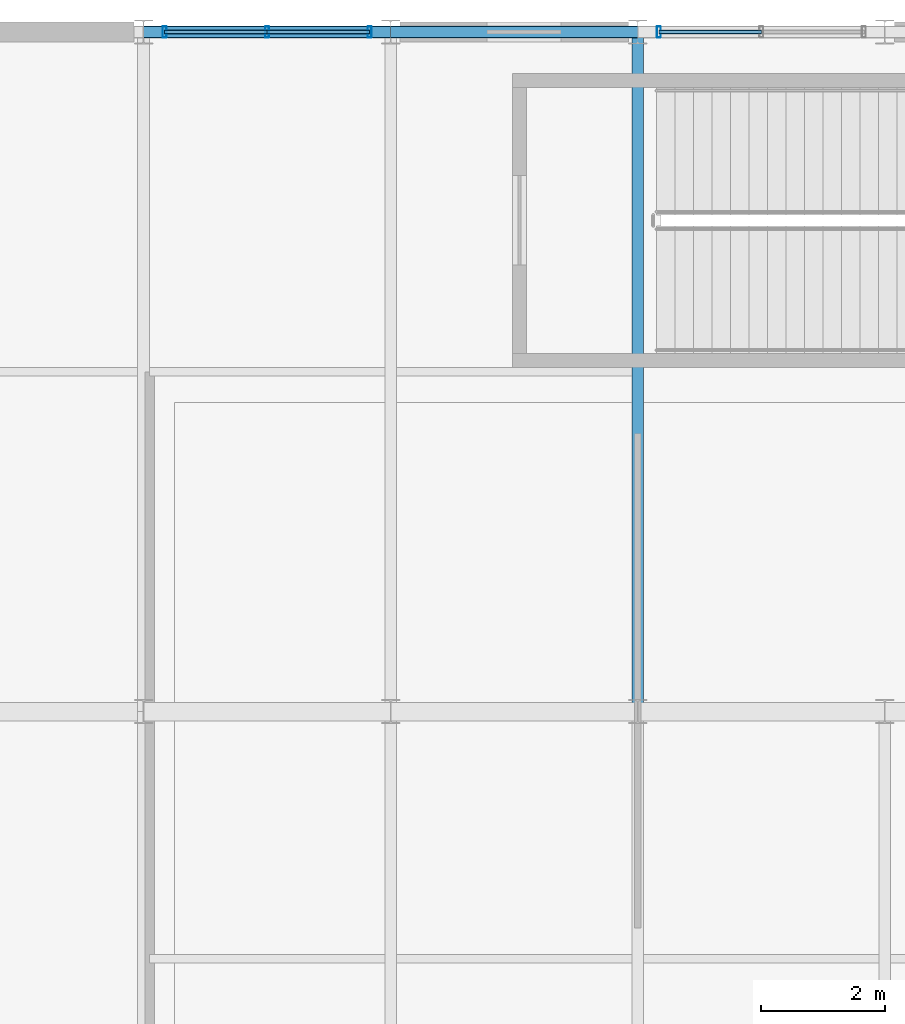
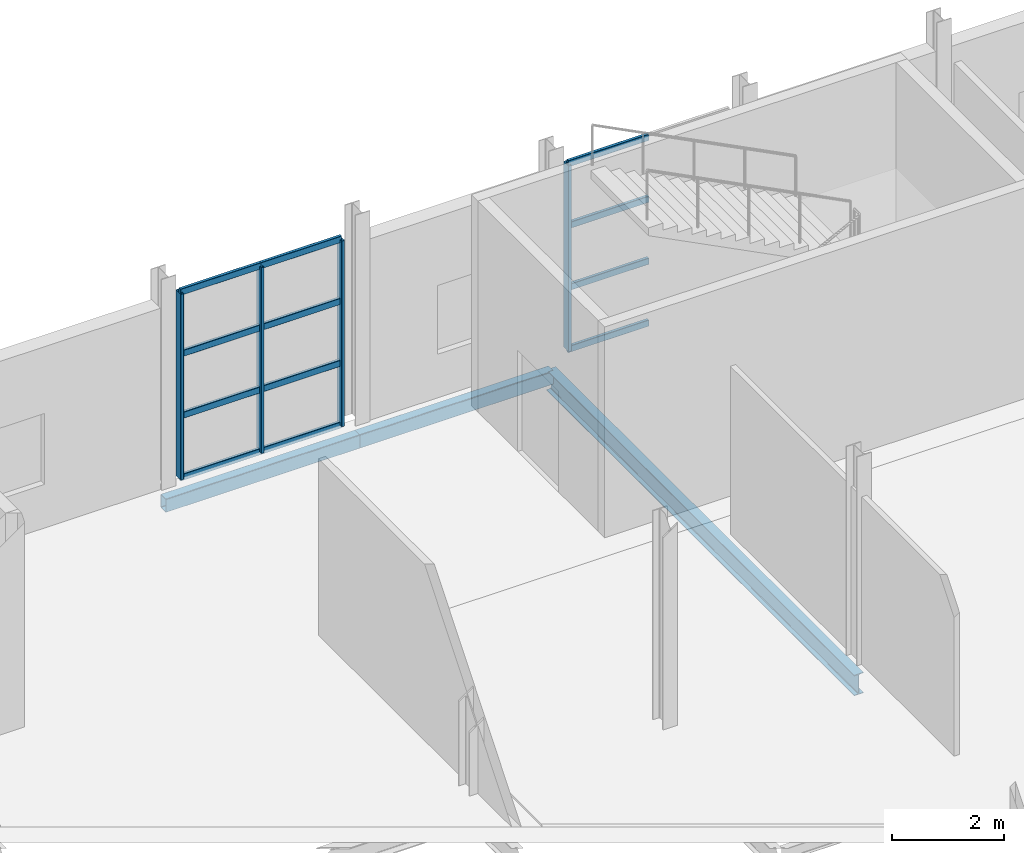
# One storey, part 51 of 67: 16 members, 3 beams, 2 elements without a shape of their own.
"""IFC4 building model written with IfcOpenShell, lengths in metres."""

from ifc_helpers import new_model, si_unit, derived_unit, direction, frame, origin, origin_2d, place, context, subcontext, project, spatial, hollow_rectangle, i_section, extrude, material, material_profile, profile_set, type_object, element, aggregate, save


model = new_model("IFC4")

# Units and contexts
model_context = context("Model", 3, precision=1e-05, world=origin(), true_north=direction((0.0, 1.0)))
body_context = subcontext(model_context, "Body", "Model", "MODEL_VIEW")
ifc_project = project(units=[si_unit("LENGTHUNIT", "METRE"), si_unit("AREAUNIT", "SQUARE_METRE"), si_unit("VOLUMEUNIT", "CUBIC_METRE"), si_unit("PLANEANGLEUNIT", "RADIAN"), si_unit("MASSUNIT", "GRAM", prefix="KILO"), derived_unit("THERMALTRANSMITTANCEUNIT", [(si_unit("POWERUNIT", "WATT"), 1), (si_unit("LENGTHUNIT", "METRE"), -2), (si_unit("THERMODYNAMICTEMPERATUREUNIT", "KELVIN"), -1)])], contexts=[model_context])

# Site, building, storey
site_placement = place(None, origin())
site = spatial("IfcSite", under=ifc_project, at=site_placement, CompositionType="ELEMENT")
building_placement = place(site_placement, origin())
building = spatial("IfcBuilding", under=site, at=building_placement, Name="Keldorne Ridge Multi-Sports Centre", CompositionType="ELEMENT")
storey_placement = place(building_placement, frame((0.0, 0.0, 14.0)))
storey = spatial("IfcBuildingStorey", under=building, at=storey_placement, Name="L03", CompositionType="ELEMENT", Elevation=14.0)

# Beams
ifc_material_1 = material(Name="Steel S355", Category="steel")
ifc_material_profile_1 = material_profile(ifc_material_1, i_section(OverallWidth=0.18994140625, OverallDepth=0.449951171875, WebThickness=0.009521484375, FlangeThickness=0.0146484375, FilletRadius=0.02099609375, at=origin_2d()), Name="IPE 450")
ifc_profile_set_1 = profile_set([ifc_material_profile_1], Name="Steel S355")
beam_type_1 = type_object("IfcBeamType", Name="BM-B-03", PredefinedType="BEAM", material=ifc_profile_set_1)
beam_placement = place(storey_placement, frame((128.0, 106.0, -0.52490234375), z_axis=(0.0, 1.0, 0.0), x_axis=(-1.0, 0.0, 0.0)))
element("IfcBeam", 1, at=beam_placement, inside=storey, type_object=beam_type_1, Name="L03 primary girder 128.6", PredefinedType="BEAM", context=body_context, shape_type="SweptSolid", body=[
    extrude(i_section(OverallWidth=0.18994140625, OverallDepth=0.449951171875, WebThickness=0.009521484375, FlangeThickness=0.0146484375, FilletRadius=0.02099609375, at=origin_2d()), origin(), (0.0, 0.0, 1.0), 11.0),
])
ifc_material_profile_2 = material_profile(ifc_material_1, hollow_rectangle(XDim=0.199951171875, YDim=0.300048828125, WallThickness=0.012451171875, InnerFilletRadius=0.012451171875, OuterFilletRadius=0.02490234375, at=origin_2d()), Name="RHS 300x200x12.5")
ifc_profile_set_2 = profile_set([ifc_material_profile_2], Name="Steel S355")
beam_type_2 = type_object("IfcBeamType", Name="BM-SP-01", PredefinedType="SPANDREL", material=ifc_profile_set_2)
for number, where, z_axis, x_axis, name in (
    (2, (120.0, 117.0, -0.449951171875), (1.0, 0.0, 0.0), (0.0, 1.0, 0.0), "L03 primary beam 3.117"),
    (3, (124.0, 117.0, -0.449951171875), (1.0, 0.0, 0.0), (0.0, 1.0, 0.0), "L03 primary beam 4.117"),
):
    element("IfcBeam", number, at=place(storey_placement, frame(where, z_axis=z_axis, x_axis=x_axis)), inside=storey, type_object=beam_type_2, Name=name, PredefinedType="SPANDREL", context=body_context, shape_type="SweptSolid", body=[
        extrude(hollow_rectangle(XDim=0.199951171875, YDim=0.300048828125, WallThickness=0.012451171875, InnerFilletRadius=0.012451171875, OuterFilletRadius=0.02490234375, at=origin_2d()), origin(), (0.0, 0.0, 1.0), 4.0),
    ])

# Curtain wall, members
ifc_material_2 = material(Name="Anodized aluminium", Category="aluminium")
curtain_wall_type_1 = type_object("IfcCurtainWallType", Name="CW-CW-05", PredefinedType="NOTDEFINED", material=ifc_material_2)
curtain_wall_1_placement = place(storey_placement, origin())
curtain_wall_1 = element("IfcCurtainWall", 4, at=curtain_wall_1_placement, inside=storey, type_object=curtain_wall_type_1, Name="East Wing L03 north curtain wall 157", PredefinedType="NOTDEFINED")
ifc_material_profile_3 = material_profile(ifc_material_2, hollow_rectangle(XDim=0.06494140625, YDim=0.179931640625, WallThickness=0.00439453125, InnerFilletRadius=0.00439453125, OuterFilletRadius=0.009033203125, at=origin_2d()), Name="ALU MULLION 180x65x4.5")
ifc_profile_set_3 = profile_set([ifc_material_profile_3], Name="Anodized aluminium")
member_type_1 = type_object("IfcMemberType", Name="MEM-ML-01", PredefinedType="MULLION", material=ifc_profile_set_3)
member_1_placement = place(storey_placement, frame((123.659912109375, 117.0, 0.0), z_axis=(0.0, 0.0, 1.0), x_axis=(1.0, 0.0, 0.0)))
member_1 = element("IfcMember", 5, at=member_1_placement, type_object=member_type_1, Name="CW-157 vertical mullion 1", PredefinedType="MULLION", context=body_context, shape_type="SweptSolid", body=[
    extrude(hollow_rectangle(XDim=0.06494140625, YDim=0.179931640625, WallThickness=0.00439453125, InnerFilletRadius=0.00439453125, OuterFilletRadius=0.009033203125, at=origin_2d()), origin(), (0.0, 0.0, 1.0), 4.050048828125),
])
member_2_placement = place(storey_placement, frame((122.0, 117.0, 0.0), z_axis=(0.0, 0.0, 1.0), x_axis=(1.0, 0.0, 0.0)))
member_2 = element("IfcMember", 6, at=member_2_placement, type_object=member_type_1, Name="CW-157 vertical mullion 2", PredefinedType="MULLION", context=body_context, shape_type="SweptSolid", body=[
    extrude(hollow_rectangle(XDim=0.06494140625, YDim=0.179931640625, WallThickness=0.00439453125, InnerFilletRadius=0.00439453125, OuterFilletRadius=0.009033203125, at=origin_2d()), origin(), (0.0, 0.0, 1.0), 4.050048828125),
])
member_3_placement = place(storey_placement, frame((120.340087890625, 117.0, 0.0), z_axis=(0.0, 0.0, 1.0), x_axis=(1.0, 0.0, 0.0)))
member_3 = element("IfcMember", 7, at=member_3_placement, type_object=member_type_1, Name="CW-157 vertical mullion 3", PredefinedType="MULLION", context=body_context, shape_type="SweptSolid", body=[
    extrude(hollow_rectangle(XDim=0.06494140625, YDim=0.179931640625, WallThickness=0.00439453125, InnerFilletRadius=0.00439453125, OuterFilletRadius=0.009033203125, at=origin_2d()), origin(), (0.0, 0.0, 1.0), 4.050048828125),
])

# Curtain wall, member
curtain_wall_type_2 = type_object("IfcCurtainWallType", Name="CW-CW-06", PredefinedType="NOTDEFINED", material=ifc_material_2)
curtain_wall_2_placement = place(storey_placement, origin())
curtain_wall_2 = element("IfcCurtainWall", 8, at=curtain_wall_2_placement, inside=storey, type_object=curtain_wall_type_2, Name="East Wing L03 north curtain wall 158", PredefinedType="NOTDEFINED")
member_4_placement = place(storey_placement, frame((128.340087890625, 117.0, 0.0), z_axis=(0.0, 0.0, 1.0), x_axis=(1.0, 0.0, 0.0)))
member_4 = element("IfcMember", 9, at=member_4_placement, type_object=member_type_1, Name="CW-158 vertical mullion 3", PredefinedType="MULLION", context=body_context, shape_type="SweptSolid", body=[
    extrude(hollow_rectangle(XDim=0.06494140625, YDim=0.179931640625, WallThickness=0.00439453125, InnerFilletRadius=0.00439453125, OuterFilletRadius=0.009033203125, at=origin_2d()), origin(), (0.0, 0.0, 1.0), 4.050048828125),
])

# Member
ifc_material_profile_4 = material_profile(ifc_material_2, hollow_rectangle(XDim=0.06494140625, YDim=0.139892578125, WallThickness=0.00439453125, InnerFilletRadius=0.00439453125, OuterFilletRadius=0.009033203125, at=origin_2d()), Name="ALU TRANSOM 140x65x4.5")
ifc_profile_set_4 = profile_set([ifc_material_profile_4], Name="Anodized aluminium")
member_type_2 = type_object("IfcMemberType", Name="MEM-TR-01", PredefinedType="USERDEFINED", material=ifc_profile_set_4)
member_5_placement = place(storey_placement, frame((123.659912109375, 117.0, 0.0), z_axis=(-1.0, 0.0, 0.0), x_axis=(0.0, -1.0, 0.0)))
member_5 = element("IfcMember", 10, at=member_5_placement, type_object=member_type_2, Name="CW-157 transom 1.1", ObjectType="TRANSOM", PredefinedType="USERDEFINED", context=body_context, shape_type="SweptSolid", body=[
    extrude(hollow_rectangle(XDim=0.06494140625, YDim=0.139892578125, WallThickness=0.00439453125, InnerFilletRadius=0.00439453125, OuterFilletRadius=0.009033203125, at=origin_2d()), origin(), (0.0, 0.0, 1.0), 1.659912109375),
])

member_6_placement = place(storey_placement, frame((123.659912109375, 117.0, 1.35009765625), z_axis=(-1.0, 0.0, 0.0), x_axis=(0.0, -1.0, 0.0)))
member_6 = element("IfcMember", 11, at=member_6_placement, type_object=member_type_2, Name="CW-157 transom 1.2", ObjectType="TRANSOM", PredefinedType="USERDEFINED", context=body_context, shape_type="SweptSolid", body=[
    extrude(hollow_rectangle(XDim=0.06494140625, YDim=0.139892578125, WallThickness=0.00439453125, InnerFilletRadius=0.00439453125, OuterFilletRadius=0.009033203125, at=origin_2d()), origin(), (0.0, 0.0, 1.0), 1.659912109375),
])

member_7_placement = place(storey_placement, frame((123.659912109375, 117.0, 2.699951171875), z_axis=(-1.0, 0.0, 0.0), x_axis=(0.0, -1.0, 0.0)))
member_7 = element("IfcMember", 12, at=member_7_placement, type_object=member_type_2, Name="CW-157 transom 1.3", ObjectType="TRANSOM", PredefinedType="USERDEFINED", context=body_context, shape_type="SweptSolid", body=[
    extrude(hollow_rectangle(XDim=0.06494140625, YDim=0.139892578125, WallThickness=0.00439453125, InnerFilletRadius=0.00439453125, OuterFilletRadius=0.009033203125, at=origin_2d()), origin(), (0.0, 0.0, 1.0), 1.659912109375),
])

member_8_placement = place(storey_placement, frame((123.659912109375, 117.0, 4.050048828125), z_axis=(-1.0, 0.0, 0.0), x_axis=(0.0, -1.0, 0.0)))
member_8 = element("IfcMember", 13, at=member_8_placement, type_object=member_type_2, Name="CW-157 transom 1.4", ObjectType="TRANSOM", PredefinedType="USERDEFINED", context=body_context, shape_type="SweptSolid", body=[
    extrude(hollow_rectangle(XDim=0.06494140625, YDim=0.139892578125, WallThickness=0.00439453125, InnerFilletRadius=0.00439453125, OuterFilletRadius=0.009033203125, at=origin_2d()), origin(), (0.0, 0.0, 1.0), 1.659912109375),
])

member_9_placement = place(storey_placement, frame((122.0, 117.0, 0.0), z_axis=(-1.0, 0.0, 0.0), x_axis=(0.0, -1.0, 0.0)))
member_9 = element("IfcMember", 14, at=member_9_placement, type_object=member_type_2, Name="CW-157 transom 2.1", ObjectType="TRANSOM", PredefinedType="USERDEFINED", context=body_context, shape_type="SweptSolid", body=[
    extrude(hollow_rectangle(XDim=0.06494140625, YDim=0.139892578125, WallThickness=0.00439453125, InnerFilletRadius=0.00439453125, OuterFilletRadius=0.009033203125, at=origin_2d()), origin(), (0.0, 0.0, 1.0), 1.659912109375),
])

member_10_placement = place(storey_placement, frame((122.0, 117.0, 1.35009765625), z_axis=(-1.0, 0.0, 0.0), x_axis=(0.0, -1.0, 0.0)))
member_10 = element("IfcMember", 15, at=member_10_placement, type_object=member_type_2, Name="CW-157 transom 2.2", ObjectType="TRANSOM", PredefinedType="USERDEFINED", context=body_context, shape_type="SweptSolid", body=[
    extrude(hollow_rectangle(XDim=0.06494140625, YDim=0.139892578125, WallThickness=0.00439453125, InnerFilletRadius=0.00439453125, OuterFilletRadius=0.009033203125, at=origin_2d()), origin(), (0.0, 0.0, 1.0), 1.659912109375),
])

member_11_placement = place(storey_placement, frame((122.0, 117.0, 2.699951171875), z_axis=(-1.0, 0.0, 0.0), x_axis=(0.0, -1.0, 0.0)))
member_11 = element("IfcMember", 16, at=member_11_placement, type_object=member_type_2, Name="CW-157 transom 2.3", ObjectType="TRANSOM", PredefinedType="USERDEFINED", context=body_context, shape_type="SweptSolid", body=[
    extrude(hollow_rectangle(XDim=0.06494140625, YDim=0.139892578125, WallThickness=0.00439453125, InnerFilletRadius=0.00439453125, OuterFilletRadius=0.009033203125, at=origin_2d()), origin(), (0.0, 0.0, 1.0), 1.659912109375),
])

member_12_placement = place(storey_placement, frame((122.0, 117.0, 4.050048828125), z_axis=(-1.0, 0.0, 0.0), x_axis=(0.0, -1.0, 0.0)))
member_12 = element("IfcMember", 17, at=member_12_placement, type_object=member_type_2, Name="CW-157 transom 2.4", ObjectType="TRANSOM", PredefinedType="USERDEFINED", context=body_context, shape_type="SweptSolid", body=[
    extrude(hollow_rectangle(XDim=0.06494140625, YDim=0.139892578125, WallThickness=0.00439453125, InnerFilletRadius=0.00439453125, OuterFilletRadius=0.009033203125, at=origin_2d()), origin(), (0.0, 0.0, 1.0), 1.659912109375),
])

aggregate(curtain_wall_1, [member_1, member_2, member_3, member_5, member_6, member_7, member_8, member_9, member_10, member_11, member_12])

member_13_placement = place(storey_placement, frame((130.0, 117.0, 0.0), z_axis=(-1.0, 0.0, 0.0), x_axis=(0.0, -1.0, 0.0)))
member_13 = element("IfcMember", 18, at=member_13_placement, type_object=member_type_2, Name="CW-158 transom 2.1", ObjectType="TRANSOM", PredefinedType="USERDEFINED", context=body_context, shape_type="SweptSolid", body=[
    extrude(hollow_rectangle(XDim=0.06494140625, YDim=0.139892578125, WallThickness=0.00439453125, InnerFilletRadius=0.00439453125, OuterFilletRadius=0.009033203125, at=origin_2d()), origin(), (0.0, 0.0, 1.0), 1.659912109375),
])

member_14_placement = place(storey_placement, frame((130.0, 117.0, 1.35009765625), z_axis=(-1.0, 0.0, 0.0), x_axis=(0.0, -1.0, 0.0)))
member_14 = element("IfcMember", 19, at=member_14_placement, type_object=member_type_2, Name="CW-158 transom 2.2", ObjectType="TRANSOM", PredefinedType="USERDEFINED", context=body_context, shape_type="SweptSolid", body=[
    extrude(hollow_rectangle(XDim=0.06494140625, YDim=0.139892578125, WallThickness=0.00439453125, InnerFilletRadius=0.00439453125, OuterFilletRadius=0.009033203125, at=origin_2d()), origin(), (0.0, 0.0, 1.0), 1.659912109375),
])

member_15_placement = place(storey_placement, frame((130.0, 117.0, 2.699951171875), z_axis=(-1.0, 0.0, 0.0), x_axis=(0.0, -1.0, 0.0)))
member_15 = element("IfcMember", 20, at=member_15_placement, type_object=member_type_2, Name="CW-158 transom 2.3", ObjectType="TRANSOM", PredefinedType="USERDEFINED", context=body_context, shape_type="SweptSolid", body=[
    extrude(hollow_rectangle(XDim=0.06494140625, YDim=0.139892578125, WallThickness=0.00439453125, InnerFilletRadius=0.00439453125, OuterFilletRadius=0.009033203125, at=origin_2d()), origin(), (0.0, 0.0, 1.0), 1.659912109375),
])

member_16_placement = place(storey_placement, frame((130.0, 117.0, 4.050048828125), z_axis=(-1.0, 0.0, 0.0), x_axis=(0.0, -1.0, 0.0)))
member_16 = element("IfcMember", 21, at=member_16_placement, type_object=member_type_2, Name="CW-158 transom 2.4", ObjectType="TRANSOM", PredefinedType="USERDEFINED", context=body_context, shape_type="SweptSolid", body=[
    extrude(hollow_rectangle(XDim=0.06494140625, YDim=0.139892578125, WallThickness=0.00439453125, InnerFilletRadius=0.00439453125, OuterFilletRadius=0.009033203125, at=origin_2d()), origin(), (0.0, 0.0, 1.0), 1.659912109375),
])

aggregate(curtain_wall_2, [member_4, member_13, member_14, member_15, member_16])

save(model, "model.ifc")
